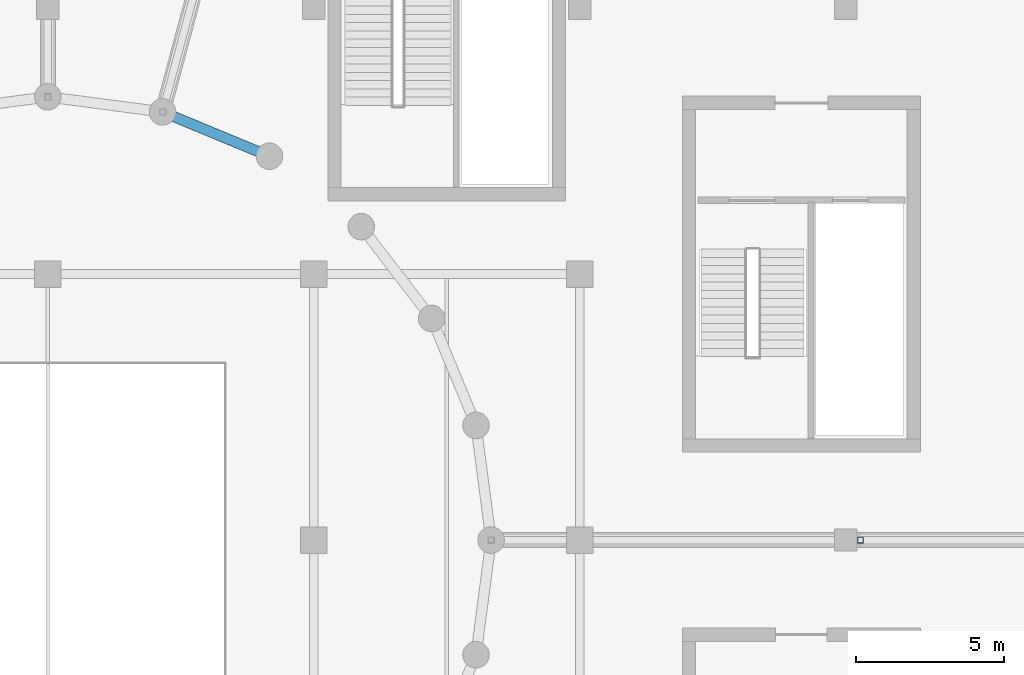
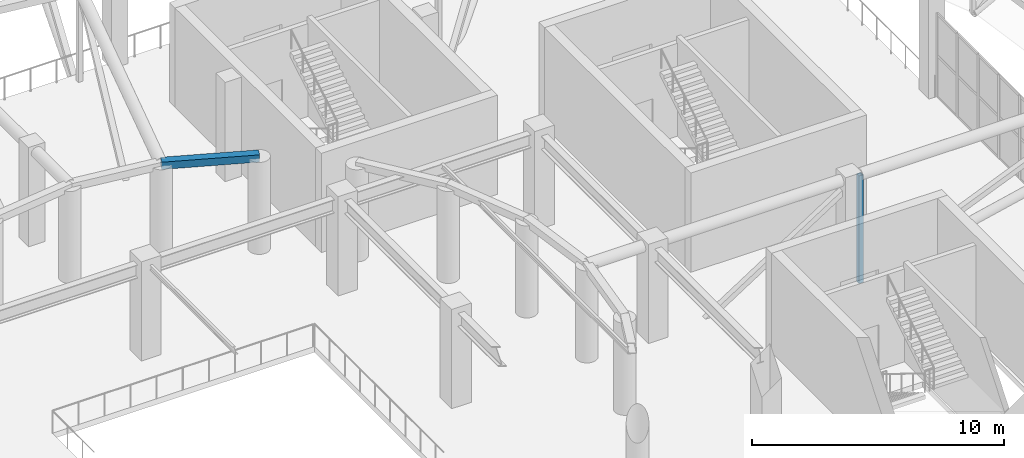
# One storey, part 71 of 167: 2 members.
"""IFC4 building model written with IfcOpenShell, lengths in metres."""

import ifcopenshell
import ifcopenshell.guid

model = None  # the IFC model being written
_history = None  # IfcOwnerHistory: only IFC2X3 demands one
_inside = {}  # id of a spatial element -> (the spatial element, [elements in it])
_under = {}  # id of a project, library or spatial element -> (it, [spatial elements below it])
_declared = {}  # id of a project -> (the project, [libraries it declares])
_typed = {}  # id of a type object -> (the type object, [elements of that type])
_made_of = {}  # id of a material, layer set ... -> (it, [elements and type objects made of it])


def new_model(schema):
    """Start an empty IFC model of exactly this schema.

    Asked for "IFC4X3", IfcOpenShell would pick the latest addendum, in which some entities
    have other attributes; the version numbers below select the first issue.
    IFC2X3 requires an IfcOwnerHistory on every rooted entity: one is made here for all.
    """
    global model, _history
    if schema == "IFC4X3":
        model = ifcopenshell.file(schema_version=(4, 3, 0, 0))
    else:
        model = ifcopenshell.file(schema=schema)
    _inside.clear()
    _under.clear()
    _declared.clear()
    _typed.clear()
    _made_of.clear()
    _history = None
    if model.schema == "IFC2X3":
        org = make("IfcOrganization", Name="unknown")
        user = make(
            "IfcPersonAndOrganization",
            ThePerson=make("IfcPerson", FamilyName="unknown"),
            TheOrganization=org,
        )
        app = make(
            "IfcApplication",
            ApplicationDeveloper=org,
            Version="unknown",
            ApplicationFullName="unknown",
            ApplicationIdentifier="unknown",
        )
        _history = make(
            "IfcOwnerHistory",
            OwningUser=user,
            OwningApplication=app,
            ChangeAction="ADDED",
            CreationDate=0,
        )
    return model


def make(cls, **values):
    """One entity of the class cls with the attributes given. An attribute that is None is left unset."""
    return model.create_entity(
        cls, **{name: value for name, value in values.items() if value is not None}
    )


def rooted(cls, **values):
    """An entity with a GlobalId (a new one), such as an element, a storey or a relation."""
    return make(cls, GlobalId=ifcopenshell.guid.new(), OwnerHistory=_history, **values)


def si_unit(unit_type, name, prefix=None):
    """IfcSIUnit, for example si_unit("LENGTHUNIT", "METRE", prefix="MILLI")."""
    return make("IfcSIUnit", UnitType=unit_type, Prefix=prefix, Name=name)


def assignment(units):
    """IfcUnitAssignment: the units of a project."""
    return None if units is None else make("IfcUnitAssignment", Units=units)


def point(xyz):
    """IfcCartesianPoint."""
    return None if xyz is None else make("IfcCartesianPoint", Coordinates=xyz)


def direction(xyz):
    """IfcDirection."""
    return None if xyz is None else make("IfcDirection", DirectionRatios=xyz)


def frame(location, z_axis=None, x_axis=None):
    """IfcAxis2Placement3D, a coordinate frame: its origin and axes. An axis left out is left unset."""
    return make(
        "IfcAxis2Placement3D",
        Location=point(location),
        Axis=direction(z_axis),
        RefDirection=direction(x_axis),
    )


def frame_2d(location, x_axis=None):
    """IfcAxis2Placement2D, a coordinate frame in the plane: its origin and x axis."""
    return make(
        "IfcAxis2Placement2D", Location=point(location), RefDirection=direction(x_axis)
    )


def origin():
    """The frame at (0, 0, 0) with its axes left unset."""
    return frame((0.0, 0.0, 0.0))


def origin_2d():
    """The frame at (0, 0) in the plane with its x axis left unset."""
    return frame_2d((0.0, 0.0))


def place(relative_to, where):
    """IfcLocalPlacement: puts the frame where relative to a parent placement (None: the world)."""
    return make(
        "IfcLocalPlacement", PlacementRelTo=relative_to, RelativePlacement=where
    )


def context(
    kind, dimensions, precision=None, world=None, true_north=None, identifier=None
):
    """IfcGeometricRepresentationContext, for example the 3D "Model" context."""
    return make(
        "IfcGeometricRepresentationContext",
        ContextIdentifier=identifier,
        ContextType=kind,
        CoordinateSpaceDimension=dimensions,
        Precision=precision,
        WorldCoordinateSystem=world,
        TrueNorth=true_north,
    )


def subcontext(parent, identifier, kind, view, scale=None):
    """IfcGeometricRepresentationSubContext, for example "Body" below "Model"."""
    return make(
        "IfcGeometricRepresentationSubContext",
        ContextIdentifier=identifier,
        ContextType=kind,
        ParentContext=parent,
        TargetScale=scale,
        TargetView=view,
    )


def project(units=None, contexts=None):
    """IfcProject with its units and contexts."""
    return rooted(
        "IfcProject",
        Name="project",
        RepresentationContexts=contexts,
        UnitsInContext=assignment(units),
    )


def spatial(cls, under=None, at=None, **own):
    """A site, building, storey or space (cls), placed at a placement, below another one or the project."""
    s = rooted(cls, ObjectPlacement=at, **own)
    if under is not None:
        _under.setdefault(under.id(), (under, []))[1].append(s)
    return s


def profile(cls, at=None, kind="AREA", **sizes):
    """A parametric profile (cls). Its sizes go by their IFC names, for example OverallWidth=200.0."""
    return make(cls, ProfileType=kind, Position=at, **sizes)


def hollow_rectangle(**sizes):
    """IfcRectangleHollowProfileDef."""
    return profile("IfcRectangleHollowProfileDef", **sizes)


def extrude(swept, where, along, depth):
    """IfcExtrudedAreaSolid: the profile swept, set in the frame where, extruded along a direction by depth."""
    return make(
        "IfcExtrudedAreaSolid",
        SweptArea=swept,
        Position=where,
        ExtrudedDirection=direction(along),
        Depth=depth,
    )


def shape(context_of_items, identifier, shape_type, items):
    """IfcShapeRepresentation: the items that make up one representation, for example the "Body"."""
    return make(
        "IfcShapeRepresentation",
        ContextOfItems=context_of_items,
        RepresentationIdentifier=identifier,
        RepresentationType=shape_type,
        Items=items,
    )


def material(Name=None, Category=None):
    """IfcMaterial."""
    return make("IfcMaterial", Name=Name, Category=Category)


def material_profile(
    of_material, cross_section, Name=None, Category=None, Priority=None
):
    """IfcMaterialProfile: a cross section and its material."""
    return make(
        "IfcMaterialProfile",
        Name=Name,
        Material=of_material,
        Profile=cross_section,
        Priority=Priority,
        Category=Category,
    )


def profile_set(profiles, Name=None, composite=None):
    """IfcMaterialProfileSet."""
    return make(
        "IfcMaterialProfileSet",
        Name=Name,
        MaterialProfiles=profiles,
        CompositeProfile=composite,
    )


def made_of(thing, what):
    """Note that an element or type object is made of a material, layer set ...; save() writes the relation."""
    if what is not None:
        _made_of.setdefault(what.id(), (what, []))[1].append(thing)
    return thing


def type_object(cls, material=None, **own):
    """A type object (cls), such as IfcWallType, which elements share."""
    return made_of(rooted(cls, **own), material)


def element(
    cls,
    number,
    at=None,
    inside=None,
    cuts=None,
    type_object=None,
    material=None,
    context=None,
    identifier="Body",
    shape_type=None,
    held_by="IfcProductDefinitionShape",
    body=None,
    shapes=None,
    **own,
):
    """One element of the class cls, such as IfcWall. Its Tag is "e" and its number.

    at: its placement. inside: the storey or other place that contains it. cuts: it is an
    opening in that element (IfcRelVoidsElement). A single representation is given by context,
    identifier, shape_type and body (its items); several are given by shapes. held_by: the class
    of the entity that holds the representations. save() writes the other relations.
    """
    e = rooted(cls, Tag="e%d" % number, ObjectPlacement=at, **own)
    if body is not None:
        shapes = [shape(context, identifier, shape_type, body)]
    if shapes is not None:
        e.Representation = make(held_by, Representations=shapes)
    if inside is not None:
        _inside.setdefault(inside.id(), (inside, []))[1].append(e)
    if cuts is not None:
        rooted(
            "IfcRelVoidsElement", RelatingBuildingElement=cuts, RelatedOpeningElement=e
        )
    if type_object is not None:
        _typed.setdefault(type_object.id(), (type_object, []))[1].append(e)
    return made_of(e, material)


def aggregate(whole, parts):
    """IfcRelAggregates: a whole, such as a stair, and the parts it consists of."""
    return rooted("IfcRelAggregates", RelatingObject=whole, RelatedObjects=parts)


def save(model, path):
    """Write the relations noted so far, then the file.

    IfcRelAggregates (storeys below a building ...), IfcRelContainedInSpatialStructure (elements
    in a storey), IfcRelDefinesByType, IfcRelAssociatesMaterial and IfcRelDeclares: one each for
    every whole, place, type object, material and project.
    """
    for whole, parts in _under.values():
        aggregate(whole, parts)
    for where, things in _inside.values():
        rooted(
            "IfcRelContainedInSpatialStructure",
            RelatedElements=things,
            RelatingStructure=where,
        )
    for kind, things in _typed.values():
        rooted("IfcRelDefinesByType", RelatedObjects=things, RelatingType=kind)
    for what, things in _made_of.values():
        rooted("IfcRelAssociatesMaterial", RelatedObjects=things, RelatingMaterial=what)
    for by, libraries in _declared.values():
        rooted("IfcRelDeclares", RelatingContext=by, RelatedDefinitions=libraries)
    model.write(path)


model = new_model("IFC4")

# Units and contexts
model_context = context("Model", 3, precision=1e-05, world=origin(), true_north=direction((0.0, 1.0)))
body_context = subcontext(model_context, "Body", "Model", "MODEL_VIEW")
ifc_project = project(units=[si_unit("LENGTHUNIT", "METRE"), si_unit("AREAUNIT", "SQUARE_METRE"), si_unit("VOLUMEUNIT", "CUBIC_METRE"), si_unit("PLANEANGLEUNIT", "RADIAN"), si_unit("MASSUNIT", "GRAM", prefix="KILO")], contexts=[model_context])

# Site, building, storey
site_placement = place(None, origin())
site = spatial("IfcSite", under=ifc_project, at=site_placement, CompositionType="ELEMENT")
building_placement = place(site_placement, origin())
building = spatial("IfcBuilding", under=site, at=building_placement, Name="Dornveld Trade and Exhibition Forum", CompositionType="ELEMENT")
storey_placement = place(building_placement, frame((0.0, 0.0, 16.800048828125)))
storey = spatial("IfcBuildingStorey", under=building, at=storey_placement, Name="L03", CompositionType="ELEMENT", Elevation=16.800048828125)

# Members
ifc_material_1 = material(Name="Steel S355J2", Category="steel")
ifc_material_profile_1 = material_profile(ifc_material_1, hollow_rectangle(XDim=0.35009765625, YDim=0.35009765625, WallThickness=0.01611328125, at=origin_2d()), Name="SHS 350x350x16")
ifc_profile_set_1 = profile_set([ifc_material_profile_1], Name="Steel S355J2")
member_type_1 = type_object("IfcMemberType", Name="MEM-DISC-RING", PredefinedType="CHORD", material=ifc_profile_set_1)
member_1_placement = place(storey_placement, frame((124.5, 93.990478515625, 4.449951171875), z_axis=(-0.923875488976, 0.382693194178, 0.0), x_axis=(-0.382693194178, -0.923875488976, 0.0)))
element("IfcMember", 1, at=member_1_placement, inside=storey, type_object=member_type_1, Name="Roof disc ring 1 chord 5", PredefinedType="CHORD", context=body_context, shape_type="SweptSolid", body=[
    extrude(hollow_rectangle(XDim=0.35009765625, YDim=0.35009765625, WallThickness=0.01611328125, at=origin_2d()), origin(), (0.0, 0.0, 1.0), 3.915771484375),
])
ifc_material_2 = material(Name="Steel S355J2", Category="steel")
ifc_material_profile_2 = material_profile(ifc_material_2, hollow_rectangle(XDim=0.199951171875, YDim=0.199951171875, WallThickness=0.010009765625, at=origin_2d()), Name="SHS 200x200x10")
ifc_profile_set_2 = profile_set([ifc_material_profile_2], Name="Steel S355J2")
member_type_2 = type_object("IfcMemberType", Name="MEM-DISC-STR", PredefinedType="STRUT", material=ifc_profile_set_2)
member_2_placement = place(storey_placement, frame((144.5, 81.0, -0.76220703125), z_axis=(0.0, 0.0, 1.0), x_axis=(1.0, 0.0, 0.0)))
element("IfcMember", 2, at=member_2_placement, inside=storey, type_object=member_type_2, Name="Roof disc radial R01 strut 2", PredefinedType="STRUT", context=body_context, shape_type="SweptSolid", body=[
    extrude(hollow_rectangle(XDim=0.199951171875, YDim=0.199951171875, WallThickness=0.010009765625, at=origin_2d()), origin(), (0.0, 0.0, 1.0), 5.212158203125),
])

save(model, "model.ifc")
